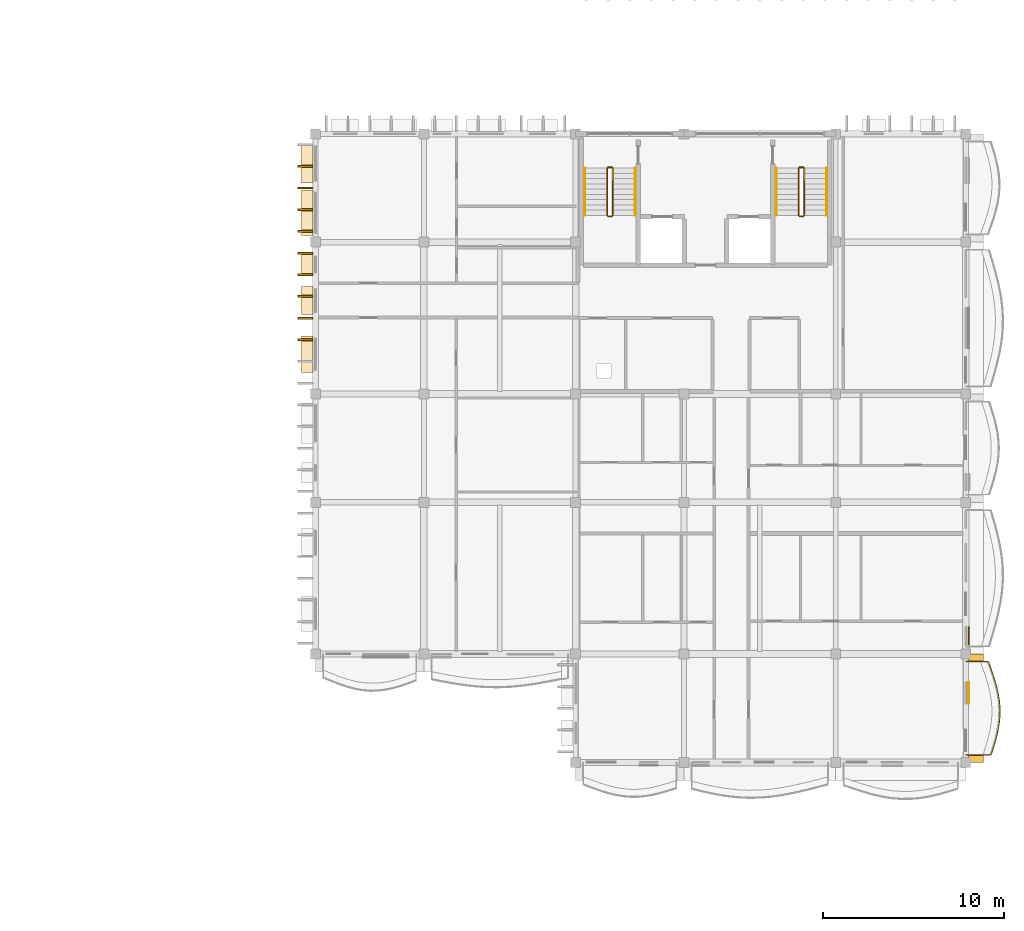
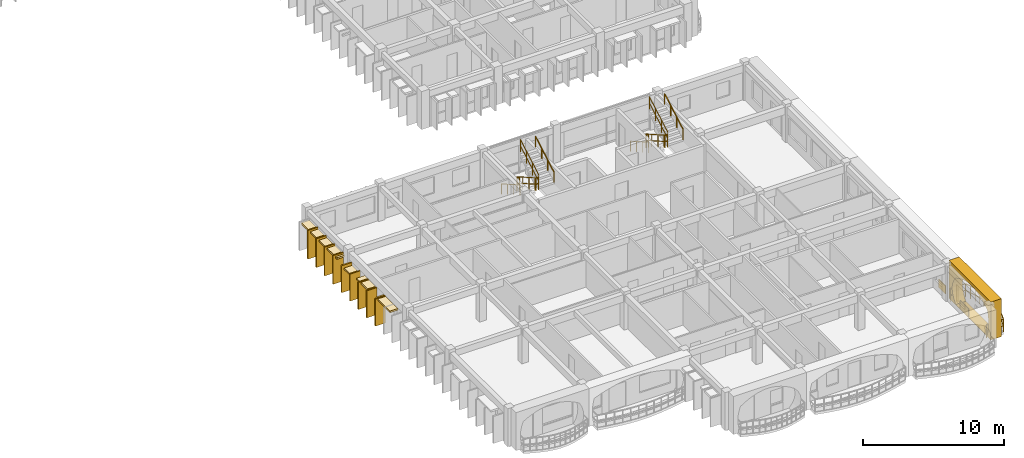
# One storey, part 62 of 70: 17 coverings, 13 railings.
"""IFC4 building model written with IfcOpenShell, lengths in metres."""

import ifcopenshell
import ifcopenshell.guid

model = None  # the IFC model being written
_history = None  # IfcOwnerHistory: only IFC2X3 demands one
_inside = {}  # id of a spatial element -> (the spatial element, [elements in it])
_under = {}  # id of a project, library or spatial element -> (it, [spatial elements below it])
_declared = {}  # id of a project -> (the project, [libraries it declares])
_typed = {}  # id of a type object -> (the type object, [elements of that type])
_made_of = {}  # id of a material, layer set ... -> (it, [elements and type objects made of it])


def new_model(schema):
    """Start an empty IFC model of exactly this schema.

    Asked for "IFC4X3", IfcOpenShell would pick the latest addendum, in which some entities
    have other attributes; the version numbers below select the first issue.
    IFC2X3 requires an IfcOwnerHistory on every rooted entity: one is made here for all.
    """
    global model, _history
    if schema == "IFC4X3":
        model = ifcopenshell.file(schema_version=(4, 3, 0, 0))
    else:
        model = ifcopenshell.file(schema=schema)
    _inside.clear()
    _under.clear()
    _declared.clear()
    _typed.clear()
    _made_of.clear()
    _history = None
    if model.schema == "IFC2X3":
        org = make("IfcOrganization", Name="unknown")
        user = make(
            "IfcPersonAndOrganization",
            ThePerson=make("IfcPerson", FamilyName="unknown"),
            TheOrganization=org,
        )
        app = make(
            "IfcApplication",
            ApplicationDeveloper=org,
            Version="unknown",
            ApplicationFullName="unknown",
            ApplicationIdentifier="unknown",
        )
        _history = make(
            "IfcOwnerHistory",
            OwningUser=user,
            OwningApplication=app,
            ChangeAction="ADDED",
            CreationDate=0,
        )
    return model


def make(cls, **values):
    """One entity of the class cls with the attributes given. An attribute that is None is left unset."""
    return model.create_entity(
        cls, **{name: value for name, value in values.items() if value is not None}
    )


def rooted(cls, **values):
    """An entity with a GlobalId (a new one), such as an element, a storey or a relation."""
    return make(cls, GlobalId=ifcopenshell.guid.new(), OwnerHistory=_history, **values)


def si_unit(unit_type, name, prefix=None):
    """IfcSIUnit, for example si_unit("LENGTHUNIT", "METRE", prefix="MILLI")."""
    return make("IfcSIUnit", UnitType=unit_type, Prefix=prefix, Name=name)


def assignment(units):
    """IfcUnitAssignment: the units of a project."""
    return None if units is None else make("IfcUnitAssignment", Units=units)


def point(xyz):
    """IfcCartesianPoint."""
    return None if xyz is None else make("IfcCartesianPoint", Coordinates=xyz)


def direction(xyz):
    """IfcDirection."""
    return None if xyz is None else make("IfcDirection", DirectionRatios=xyz)


def frame(location, z_axis=None, x_axis=None):
    """IfcAxis2Placement3D, a coordinate frame: its origin and axes. An axis left out is left unset."""
    return make(
        "IfcAxis2Placement3D",
        Location=point(location),
        Axis=direction(z_axis),
        RefDirection=direction(x_axis),
    )


def frame_2d(location, x_axis=None):
    """IfcAxis2Placement2D, a coordinate frame in the plane: its origin and x axis."""
    return make(
        "IfcAxis2Placement2D", Location=point(location), RefDirection=direction(x_axis)
    )


def origin():
    """The frame at (0, 0, 0) with its axes left unset."""
    return frame((0.0, 0.0, 0.0))


def origin_2d():
    """The frame at (0, 0) in the plane with its x axis left unset."""
    return frame_2d((0.0, 0.0))


def place(relative_to, where):
    """IfcLocalPlacement: puts the frame where relative to a parent placement (None: the world)."""
    return make(
        "IfcLocalPlacement", PlacementRelTo=relative_to, RelativePlacement=where
    )


def context(
    kind, dimensions, precision=None, world=None, true_north=None, identifier=None
):
    """IfcGeometricRepresentationContext, for example the 3D "Model" context."""
    return make(
        "IfcGeometricRepresentationContext",
        ContextIdentifier=identifier,
        ContextType=kind,
        CoordinateSpaceDimension=dimensions,
        Precision=precision,
        WorldCoordinateSystem=world,
        TrueNorth=true_north,
    )


def subcontext(parent, identifier, kind, view, scale=None):
    """IfcGeometricRepresentationSubContext, for example "Body" below "Model"."""
    return make(
        "IfcGeometricRepresentationSubContext",
        ContextIdentifier=identifier,
        ContextType=kind,
        ParentContext=parent,
        TargetScale=scale,
        TargetView=view,
    )


def project(units=None, contexts=None):
    """IfcProject with its units and contexts."""
    return rooted(
        "IfcProject",
        Name="project",
        RepresentationContexts=contexts,
        UnitsInContext=assignment(units),
    )


def spatial(cls, under=None, at=None, **own):
    """A site, building, storey or space (cls), placed at a placement, below another one or the project."""
    s = rooted(cls, ObjectPlacement=at, **own)
    if under is not None:
        _under.setdefault(under.id(), (under, []))[1].append(s)
    return s


def polyline(points):
    """IfcPolyline through the points."""
    return make("IfcPolyline", Points=[point(p) for p in points])


def profile(cls, at=None, kind="AREA", **sizes):
    """A parametric profile (cls). Its sizes go by their IFC names, for example OverallWidth=200.0."""
    return make(cls, ProfileType=kind, Position=at, **sizes)


def rectangle(**sizes):
    """IfcRectangleProfileDef."""
    return profile("IfcRectangleProfileDef", **sizes)


def outline(outer, holes=None, kind="AREA"):
    """IfcArbitraryClosedProfileDef: a profile drawn as a closed curve; with holes, ...WithVoids."""
    if holes is None:
        return make("IfcArbitraryClosedProfileDef", ProfileType=kind, OuterCurve=outer)
    return make(
        "IfcArbitraryProfileDefWithVoids",
        ProfileType=kind,
        OuterCurve=outer,
        InnerCurves=holes,
    )


def extrude(swept, where, along, depth):
    """IfcExtrudedAreaSolid: the profile swept, set in the frame where, extruded along a direction by depth."""
    return make(
        "IfcExtrudedAreaSolid",
        SweptArea=swept,
        Position=where,
        ExtrudedDirection=direction(along),
        Depth=depth,
    )


def shape(context_of_items, identifier, shape_type, items):
    """IfcShapeRepresentation: the items that make up one representation, for example the "Body"."""
    return make(
        "IfcShapeRepresentation",
        ContextOfItems=context_of_items,
        RepresentationIdentifier=identifier,
        RepresentationType=shape_type,
        Items=items,
    )


def material(Name=None, Category=None):
    """IfcMaterial."""
    return make("IfcMaterial", Name=Name, Category=Category)


def layer(
    of_material, thickness, ventilated=None, Name=None, Category=None, Priority=None
):
    """IfcMaterialLayer: one layer of a wall or slab, of a material (None: an air gap)."""
    return make(
        "IfcMaterialLayer",
        Material=of_material,
        LayerThickness=thickness,
        IsVentilated=ventilated,
        Name=Name,
        Category=Category,
        Priority=Priority,
    )


def layer_set(layers, Name=None):
    """IfcMaterialLayerSet."""
    return make("IfcMaterialLayerSet", MaterialLayers=layers, LayerSetName=Name)


def made_of(thing, what):
    """Note that an element or type object is made of a material, layer set ...; save() writes the relation."""
    if what is not None:
        _made_of.setdefault(what.id(), (what, []))[1].append(thing)
    return thing


def type_object(cls, material=None, **own):
    """A type object (cls), such as IfcWallType, which elements share."""
    return made_of(rooted(cls, **own), material)


def element(
    cls,
    number,
    at=None,
    inside=None,
    cuts=None,
    type_object=None,
    material=None,
    context=None,
    identifier="Body",
    shape_type=None,
    held_by="IfcProductDefinitionShape",
    body=None,
    shapes=None,
    **own,
):
    """One element of the class cls, such as IfcWall. Its Tag is "e" and its number.

    at: its placement. inside: the storey or other place that contains it. cuts: it is an
    opening in that element (IfcRelVoidsElement). A single representation is given by context,
    identifier, shape_type and body (its items); several are given by shapes. held_by: the class
    of the entity that holds the representations. save() writes the other relations.
    """
    e = rooted(cls, Tag="e%d" % number, ObjectPlacement=at, **own)
    if body is not None:
        shapes = [shape(context, identifier, shape_type, body)]
    if shapes is not None:
        e.Representation = make(held_by, Representations=shapes)
    if inside is not None:
        _inside.setdefault(inside.id(), (inside, []))[1].append(e)
    if cuts is not None:
        rooted(
            "IfcRelVoidsElement", RelatingBuildingElement=cuts, RelatedOpeningElement=e
        )
    if type_object is not None:
        _typed.setdefault(type_object.id(), (type_object, []))[1].append(e)
    return made_of(e, material)


def aggregate(whole, parts):
    """IfcRelAggregates: a whole, such as a stair, and the parts it consists of."""
    return rooted("IfcRelAggregates", RelatingObject=whole, RelatedObjects=parts)


def save(model, path):
    """Write the relations noted so far, then the file.

    IfcRelAggregates (storeys below a building ...), IfcRelContainedInSpatialStructure (elements
    in a storey), IfcRelDefinesByType, IfcRelAssociatesMaterial and IfcRelDeclares: one each for
    every whole, place, type object, material and project.
    """
    for whole, parts in _under.values():
        aggregate(whole, parts)
    for where, things in _inside.values():
        rooted(
            "IfcRelContainedInSpatialStructure",
            RelatedElements=things,
            RelatingStructure=where,
        )
    for kind, things in _typed.values():
        rooted("IfcRelDefinesByType", RelatedObjects=things, RelatingType=kind)
    for what, things in _made_of.values():
        rooted("IfcRelAssociatesMaterial", RelatedObjects=things, RelatingMaterial=what)
    for by, libraries in _declared.values():
        rooted("IfcRelDeclares", RelatingContext=by, RelatedDefinitions=libraries)
    model.write(path)


model = new_model("IFC4")

# Units and contexts
model_context = context("Model", 3, precision=1e-05, world=origin(), true_north=direction((0.0, 1.0)))
body_context = subcontext(model_context, "Body", "Model", "MODEL_VIEW")
ifc_project = project(units=[si_unit("LENGTHUNIT", "METRE"), si_unit("AREAUNIT", "SQUARE_METRE"), si_unit("VOLUMEUNIT", "CUBIC_METRE"), si_unit("PLANEANGLEUNIT", "RADIAN"), si_unit("MASSUNIT", "GRAM", prefix="KILO"), si_unit("THERMODYNAMICTEMPERATUREUNIT", "KELVIN")], contexts=[model_context])

# Site, building, storey
site_placement = place(None, origin())
site = spatial("IfcSite", under=ifc_project, at=site_placement, CompositionType="ELEMENT")
building_placement = place(site_placement, origin())
building = spatial("IfcBuilding", under=site, at=building_placement, Name="Thalorik Housing Commons", CompositionType="ELEMENT")
storey_placement = place(building_placement, frame((0.0, 0.0, 14.699951171875)))
storey = spatial("IfcBuildingStorey", under=building, at=storey_placement, Name="L04", CompositionType="ELEMENT", Elevation=14.699951171875)

# Coverings
ifc_material_1 = material(Name="Cobalt blue glazed ceramic facade tile panel", Category="masonry")
ifc_layer_1 = layer(ifc_material_1, 0.06005859375, Name="Cobalt blue glazed ceramic facade tile panel", Category="masonry")
ifc_layer_set_1 = layer_set([ifc_layer_1], Name="Cobalt blue glazed ceramic facade tile panel")
covering_type_1 = type_object("IfcCoveringType", Name="ARC-CLD-BLU-60", PredefinedType="CLADDING", material=ifc_layer_set_1)
covering_1_placement = place(storey_placement, frame((174.172607421875, 44.201416015625, 0.05029296875), z_axis=(0.0, 0.0, 1.0), x_axis=(0.0, 1.0, 0.0)))
element("IfcCovering", 1, at=covering_1_placement, inside=storey, type_object=covering_type_1, Name="L04 De Stijl Recessed Window Spandrel 4828", PredefinedType="CLADDING", context=body_context, shape_type="SweptSolid", body=[
    extrude(rectangle(XDim=1.0, YDim=0.06005859375, at=origin_2d()), origin(), (0.0, 0.0, 1.0), 0.699951171875),
])
ifc_material_2 = material(Name="Precast concrete C40/50", Category="concrete")
ifc_layer_2 = layer(ifc_material_2, 0.85009765625, Name="Precast concrete C40/50", Category="concrete")
ifc_layer_set_2 = layer_set([ifc_layer_2], Name="Precast concrete C40/50")
covering_type_2 = type_object("IfcCoveringType", Name="ARC-CLD-CUSH-850", PredefinedType="CLADDING", material=ifc_layer_set_2)
covering_2_placement = place(storey_placement, frame((174.5625, 40.199951171875, 0.0), z_axis=(0.0, 0.0, 1.0), x_axis=(0.0, 1.0, 0.0)))
element("IfcCovering", 2, at=covering_2_placement, inside=storey, type_object=covering_type_2, Name="L04 White Precast Curved Cushion Bay Frame 4825", PredefinedType="CLADDING", context=body_context, shape_type="SweptSolid", body=[
    extrude(outline(polyline([(-3.0, 0.0), (3.0, 0.0), (3.0, 3.300048828125), (-3.0, 3.300048828125), (-3.0, 0.0)]), holes=[polyline([(2.0400390625, 0.02490234375), (2.3232421875, 0.407470703125), (2.493408203125, 0.7900390625), (2.550048828125, 1.172607421875), (2.493408203125, 1.554931640625), (2.3232421875, 1.9375), (2.0400390625, 2.320068359375), (1.66748046875, 2.539306640625), (1.294921875, 2.711181640625), (0.922607421875, 2.8505859375), (0.550048828125, 2.954345703125), (0.177490234375, 3.018310546875), (-0.195068359375, 3.0400390625), (-0.5673828125, 3.018310546875), (-0.93994140625, 2.954345703125), (-1.3125, 2.8505859375), (-1.68505859375, 2.711181640625), (-2.0576171875, 2.539306640625), (-2.429931640625, 2.320068359375), (-2.55029296875, 1.9375), (-2.62255859375, 1.554931640625), (-2.646484375, 1.172607421875), (-2.62255859375, 0.7900390625), (-2.55029296875, 0.407470703125), (-2.429931640625, 0.02490234375), (2.0400390625, 0.02490234375)])]), frame((0.0, 0.425048828125, 0.0), z_axis=(0.0, -1.0, 0.0), x_axis=(1.0, 0.0, 0.0)), (0.0, 0.0, 1.0), 0.85009765625),
])
ifc_layer_3 = layer(ifc_material_2, 0.85009765625, Name="Precast concrete C40/50", Category="concrete")
ifc_layer_set_3 = layer_set([ifc_layer_3], Name="Precast concrete C40/50")
covering_type_3 = type_object("IfcCoveringType", Name="ARC-CLD-FIN-850", PredefinedType="CLADDING", material=ifc_layer_set_3)
for number, where, z_axis, x_axis, name in (
    (3, (137.4375, 70.199951171875, 0.0400390625), (0.0, 0.0, 1.0), (0.0, -1.0, 0.0), "L04 Courtyard Precast Vertical Brise-Soleil Fin 4776"),
    (4, (137.4375, 69.0, 0.0400390625), (0.0, 0.0, 1.0), (0.0, -1.0, 0.0), "L04 Courtyard Precast Vertical Brise-Soleil Fin 4777"),
    (5, (137.4375, 67.800048828125, 0.0400390625), (0.0, 0.0, 1.0), (0.0, -1.0, 0.0), "L04 Courtyard Precast Vertical Brise-Soleil Fin 4778"),
    (6, (137.4375, 66.60009765625, 0.0400390625), (0.0, 0.0, 1.0), (0.0, -1.0, 0.0), "L04 Courtyard Precast Vertical Brise-Soleil Fin 4779"),
):
    element("IfcCovering", number, at=place(storey_placement, frame(where, z_axis=z_axis, x_axis=x_axis)), inside=storey, type_object=covering_type_3, Name=name, PredefinedType="CLADDING", context=body_context, shape_type="SweptSolid", body=[
        extrude(rectangle(XDim=0.110107421875, YDim=0.85009765625, at=origin_2d()), origin(), (0.0, 0.0, 1.0), 2.4951171875),
    ])
for number, where, z_axis, x_axis, name in (
    (7, (137.4375, 65.39990234375, 0.0400390625), (0.0, 0.0, 1.0), (0.0, -1.0, 0.0), "L04 Courtyard Precast Vertical Brise-Soleil Fin 4782"),
    (8, (137.4375, 64.199951171875, 0.0400390625), (0.0, 0.0, 1.0), (0.0, -1.0, 0.0), "L04 Courtyard Precast Vertical Brise-Soleil Fin 4783"),
    (9, (137.4375, 63.0, 0.0400390625), (0.0, 0.0, 1.0), (0.0, -1.0, 0.0), "L04 Courtyard Precast Vertical Brise-Soleil Fin 4784"),
    (10, (137.4375, 61.800048828125, 0.0400390625), (0.0, 0.0, 1.0), (0.0, -1.0, 0.0), "L04 Courtyard Precast Vertical Brise-Soleil Fin 4785"),
    (11, (137.4375, 60.60009765625, 0.0400390625), (0.0, 0.0, 1.0), (0.0, -1.0, 0.0), "L04 Courtyard Precast Vertical Brise-Soleil Fin 4786"),
):
    element("IfcCovering", number, at=place(storey_placement, frame(where, z_axis=z_axis, x_axis=x_axis)), inside=storey, type_object=covering_type_3, Name=name, PredefinedType="CLADDING", context=body_context, shape_type="SweptSolid", body=[
        extrude(rectangle(XDim=0.110107421875, YDim=0.85009765625, at=origin_2d()), origin(), (0.0, 0.0, 1.0), 2.344970703125),
    ])
ifc_layer_4 = layer(ifc_material_2, 0.64990234375, Name="Precast concrete C40/50", Category="concrete")
ifc_layer_set_4 = layer_set([ifc_layer_4], Name="Precast concrete C40/50")
covering_type_4 = type_object("IfcCoveringType", Name="ARC-CLD-HOOD-650", PredefinedType="CLADDING", material=ifc_layer_set_4)
covering_3_placement = place(storey_placement, frame((137.53759765625, 70.3701171875, 2.22998046875), z_axis=(0.0, 0.0, 1.0), x_axis=(0.0, -1.0, 0.0)))
element("IfcCovering", 12, at=covering_3_placement, inside=storey, type_object=covering_type_4, Name="L04 Courtyard Precast Window Sun-Hood 4780", PredefinedType="CLADDING", context=body_context, shape_type="SweptSolid", body=[
    extrude(rectangle(XDim=2.159912109375, YDim=0.64990234375, at=origin_2d()), origin(), (0.0, 0.0, 1.0), 0.139892578125),
])
covering_4_placement = place(storey_placement, frame((137.53759765625, 67.6298828125, 2.25), z_axis=(0.0, 0.0, 1.0), x_axis=(0.0, -1.0, 0.0)))
element("IfcCovering", 13, at=covering_4_placement, inside=storey, type_object=covering_type_4, Name="L04 Courtyard Precast Window Sun-Hood 4781", PredefinedType="CLADDING", context=body_context, shape_type="SweptSolid", body=[
    extrude(rectangle(XDim=2.52001953125, YDim=0.64990234375, at=origin_2d()), origin(), (0.0, 0.0, 1.0), 0.139892578125),
])
covering_5_placement = place(storey_placement, frame((137.53759765625, 64.764892578125, 1.990234375), z_axis=(0.0, 0.0, 1.0), x_axis=(0.0, -1.0, 0.0)))
element("IfcCovering", 14, at=covering_5_placement, inside=storey, type_object=covering_type_4, Name="L04 Courtyard Precast Window Sun-Hood 4789", PredefinedType="CLADDING", context=body_context, shape_type="SweptSolid", body=[
    extrude(rectangle(XDim=1.139892578125, YDim=0.64990234375, at=origin_2d()), origin(), (0.0, 0.0, 1.0), 0.139892578125),
])
covering_6_placement = place(storey_placement, frame((137.53759765625, 62.77001953125, 2.18994140625), z_axis=(0.0, 0.0, 1.0), x_axis=(0.0, -1.0, 0.0)))
element("IfcCovering", 15, at=covering_6_placement, inside=storey, type_object=covering_type_4, Name="L04 Courtyard Precast Window Sun-Hood 4790", PredefinedType="CLADDING", context=body_context, shape_type="SweptSolid", body=[
    extrude(rectangle(XDim=1.5400390625, YDim=0.64990234375, at=origin_2d()), origin(), (0.0, 0.0, 1.0), 0.139892578125),
])
covering_7_placement = place(storey_placement, frame((137.53759765625, 59.804931640625, 2.2099609375), z_axis=(0.0, 0.0, 1.0), x_axis=(0.0, -1.0, 0.0)))
element("IfcCovering", 16, at=covering_7_placement, inside=storey, type_object=covering_type_4, Name="L04 Courtyard Precast Window Sun-Hood 4791", PredefinedType="CLADDING", context=body_context, shape_type="SweptSolid", body=[
    extrude(rectangle(XDim=2.02001953125, YDim=0.64990234375, at=origin_2d()), origin(), (0.0, 0.0, 1.0), 0.139892578125),
])
ifc_material_3 = material(Name="Terracotta red mineral fibre-cement panel", Category="masonry")
ifc_layer_5 = layer(ifc_material_3, 0.054931640625, Name="Terracotta red mineral fibre-cement panel", Category="masonry")
ifc_layer_set_5 = layer_set([ifc_layer_5], Name="Terracotta red mineral fibre-cement panel")
covering_type_5 = type_object("IfcCoveringType", Name="ARC-CLD-RED-55", PredefinedType="CLADDING", material=ifc_layer_set_5)
covering_8_placement = place(storey_placement, frame((174.169921875, 41.0400390625, 0.05029296875), z_axis=(0.0, 0.0, 1.0), x_axis=(0.0, 1.0, 0.0)))
element("IfcCovering", 17, at=covering_8_placement, inside=storey, type_object=covering_type_5, Name="L04 De Stijl Recessed Window Spandrel 4826", PredefinedType="CLADDING", context=body_context, shape_type="SweptSolid", body=[
    extrude(rectangle(XDim=1.199951171875, YDim=0.054931640625, at=origin_2d()), origin(), (0.0, 0.0, 1.0), 0.699951171875),
])

# Railings
ifc_material_4 = material(Name="Steel S355", Category="steel")
railing_type_1 = type_object("IfcRailingType", Name="ARC-RL-BAL-115", PredefinedType="BALUSTRADE", material=ifc_material_4)
railing_1_placement = place(storey_placement, frame((174.0, 37.6201171875, 0.0)))
element("IfcRailing", 18, at=railing_1_placement, inside=storey, type_object=railing_type_1, Name="L04 Cushion Balcony Guardrail 349", PredefinedType="BALUSTRADE", context=body_context, shape_type="SweptSolid", body=[
    extrude(rectangle(XDim=0.050048828125, YDim=0.050048828125, at=origin_2d()), frame((0.0, 0.0, 1.125), z_axis=(1.0, 0.0, 0.0), x_axis=(0.0, 1.0, 0.0)), (0.0, 0.0, 1.0), 1.40869140625),
    extrude(rectangle(XDim=0.050048828125, YDim=0.050048828125, at=origin_2d()), frame((0.0, 0.0, 0.5498046875), z_axis=(1.0, 0.0, 0.0), x_axis=(0.0, 1.0, 0.0)), (0.0, 0.0, 1.0), 1.40869140625),
    extrude(rectangle(XDim=0.050048828125, YDim=0.050048828125, at=origin_2d()), frame((1.40869140625, 0.0, 1.125), z_axis=(0.30304729671, 0.952975516976, 0.0), x_axis=(-0.952975516976, 0.30304729671, 0.0)), (0.0, 0.0, 1.0), 0.451171875),
    extrude(rectangle(XDim=0.050048828125, YDim=0.050048828125, at=origin_2d()), frame((1.40869140625, 0.0, 0.5498046875), z_axis=(0.30304729671, 0.952975516976, 0.0), x_axis=(-0.952975516976, 0.30304729671, 0.0)), (0.0, 0.0, 1.0), 0.451171875),
    extrude(rectangle(XDim=0.050048828125, YDim=0.050048828125, at=origin_2d()), frame((1.54541015625, 0.429931640625, 1.125), z_axis=(0.280188385866, 0.959945034065, 0.0), x_axis=(-0.959945034065, 0.280188385866, 0.0)), (0.0, 0.0, 1.0), 0.44775390625),
    extrude(rectangle(XDim=0.050048828125, YDim=0.050048828125, at=origin_2d()), frame((1.54541015625, 0.429931640625, 0.5498046875), z_axis=(0.280188385866, 0.959945034065, 0.0), x_axis=(-0.959945034065, 0.280188385866, 0.0)), (0.0, 0.0, 1.0), 0.44775390625),
    extrude(rectangle(XDim=0.050048828125, YDim=0.050048828125, at=origin_2d()), frame((1.6708984375, 0.85986328125, 1.125), z_axis=(0.236168531023, 0.97171211012, 0.0), x_axis=(-0.97171211012, 0.236168531023, 0.0)), (0.0, 0.0, 1.0), 0.4423828125),
    extrude(rectangle(XDim=0.050048828125, YDim=0.050048828125, at=origin_2d()), frame((1.6708984375, 0.85986328125, 0.5498046875), z_axis=(0.236168531023, 0.97171211012, 0.0), x_axis=(-0.97171211012, 0.236168531023, 0.0)), (0.0, 0.0, 1.0), 0.4423828125),
    extrude(rectangle(XDim=0.050048828125, YDim=0.050048828125, at=origin_2d()), frame((1.775390625, 1.289794921875, 1.125), z_axis=(0.174359150343, 0.984682124694, 0.0), x_axis=(-0.984682124694, 0.174359150343, 0.0)), (0.0, 0.0, 1.0), 0.436767578125),
    extrude(rectangle(XDim=0.050048828125, YDim=0.050048828125, at=origin_2d()), frame((1.775390625, 1.289794921875, 0.5498046875), z_axis=(0.174359150343, 0.984682124694, 0.0), x_axis=(-0.984682124694, 0.174359150343, 0.0)), (0.0, 0.0, 1.0), 0.436767578125),
    extrude(rectangle(XDim=0.050048828125, YDim=0.050048828125, at=origin_2d()), frame((1.8515625, 1.719970703125, 1.125), z_axis=(0.096649325814, 0.995318495668, 0.0), x_axis=(-0.995318495668, 0.096649325814, 0.0)), (0.0, 0.0, 1.0), 0.431884765625),
    extrude(rectangle(XDim=0.050048828125, YDim=0.050048828125, at=origin_2d()), frame((1.8515625, 1.719970703125, 0.5498046875), z_axis=(0.096649325814, 0.995318495668, 0.0), x_axis=(-0.995318495668, 0.096649325814, 0.0)), (0.0, 0.0, 1.0), 0.431884765625),
    extrude(rectangle(XDim=0.050048828125, YDim=0.050048828125, at=origin_2d()), frame((1.893310546875, 2.14990234375, 1.125), z_axis=(0.008517578576, 0.99996372477, 0.0), x_axis=(-0.99996372477, 0.008517578576, 0.0)), (0.0, 0.0, 1.0), 0.429931640625),
    extrude(rectangle(XDim=0.050048828125, YDim=0.050048828125, at=origin_2d()), frame((1.893310546875, 2.14990234375, 0.5498046875), z_axis=(0.008517578576, 0.99996372477, 0.0), x_axis=(-0.99996372477, 0.008517578576, 0.0)), (0.0, 0.0, 1.0), 0.429931640625),
    extrude(rectangle(XDim=0.050048828125, YDim=0.050048828125, at=origin_2d()), frame((1.89697265625, 2.579833984375, 1.125), z_axis=(-0.08149969607, 0.996673366525, 0.0), x_axis=(-0.996673366525, -0.08149969607, 0.0)), (0.0, 0.0, 1.0), 0.431396484375),
    extrude(rectangle(XDim=0.050048828125, YDim=0.050048828125, at=origin_2d()), frame((1.89697265625, 2.579833984375, 0.5498046875), z_axis=(-0.08149969607, 0.996673366525, 0.0), x_axis=(-0.996673366525, -0.08149969607, 0.0)), (0.0, 0.0, 1.0), 0.431396484375),
    extrude(rectangle(XDim=0.050048828125, YDim=0.050048828125, at=origin_2d()), frame((1.86181640625, 3.009765625, 1.125), z_axis=(-0.165125099862, 0.986272630359, 0.0), x_axis=(-0.986272630359, -0.165125099862, 0.0)), (0.0, 0.0, 1.0), 0.436279296875),
    extrude(rectangle(XDim=0.050048828125, YDim=0.050048828125, at=origin_2d()), frame((1.86181640625, 3.009765625, 0.5498046875), z_axis=(-0.165125099862, 0.986272630359, 0.0), x_axis=(-0.986272630359, -0.165125099862, 0.0)), (0.0, 0.0, 1.0), 0.436279296875),
    extrude(rectangle(XDim=0.050048828125, YDim=0.050048828125, at=origin_2d()), frame((1.789794921875, 3.43994140625, 1.125), z_axis=(-0.235126086267, 0.971964877738, 0.0), x_axis=(-0.971964877738, -0.235126086267, 0.0)), (0.0, 0.0, 1.0), 0.4423828125),
    extrude(rectangle(XDim=0.050048828125, YDim=0.050048828125, at=origin_2d()), frame((1.789794921875, 3.43994140625, 0.5498046875), z_axis=(-0.235126086267, 0.971964877738, 0.0), x_axis=(-0.971964877738, -0.235126086267, 0.0)), (0.0, 0.0, 1.0), 0.4423828125),
    extrude(rectangle(XDim=0.050048828125, YDim=0.050048828125, at=origin_2d()), frame((1.685791015625, 3.869873046875, 1.125), z_axis=(-0.28869433299, 0.957421319012, 0.0), x_axis=(-0.957421319012, -0.28869433299, 0.0)), (0.0, 0.0, 1.0), 0.448974609375),
    extrude(rectangle(XDim=0.050048828125, YDim=0.050048828125, at=origin_2d()), frame((1.685791015625, 3.869873046875, 0.5498046875), z_axis=(-0.28869433299, 0.957421319012, 0.0), x_axis=(-0.957421319012, -0.28869433299, 0.0)), (0.0, 0.0, 1.0), 0.448974609375),
    extrude(rectangle(XDim=0.050048828125, YDim=0.050048828125, at=origin_2d()), frame((1.55615234375, 4.2998046875, 1.125), z_axis=(-0.321864200459, 0.94678584509, 0.0), x_axis=(-0.94678584509, -0.321864200459, 0.0)), (0.0, 0.0, 1.0), 0.454345703125),
    extrude(rectangle(XDim=0.050048828125, YDim=0.050048828125, at=origin_2d()), frame((1.55615234375, 4.2998046875, 0.5498046875), z_axis=(-0.321864200459, 0.94678584509, 0.0), x_axis=(-0.94678584509, -0.321864200459, 0.0)), (0.0, 0.0, 1.0), 0.454345703125),
    extrude(rectangle(XDim=0.050048828125, YDim=0.050048828125, at=origin_2d()), frame((1.409912109375, 4.72998046875, 1.125), z_axis=(-0.335421235199, 0.942068253885, 0.0), x_axis=(-0.942068253885, -0.335421235199, 0.0)), (0.0, 0.0, 1.0), 0.456298828125),
    extrude(rectangle(XDim=0.050048828125, YDim=0.050048828125, at=origin_2d()), frame((1.409912109375, 4.72998046875, 0.5498046875), z_axis=(-0.335421235199, 0.942068253885, 0.0), x_axis=(-0.942068253885, -0.335421235199, 0.0)), (0.0, 0.0, 1.0), 0.456298828125),
    extrude(rectangle(XDim=0.050048828125, YDim=0.050048828125, at=origin_2d()), frame((1.2568359375, 5.159912109375, 1.125), z_axis=(-1.0, 0.0, 0.0), x_axis=(0.0, -1.0, 0.0)), (0.0, 0.0, 1.0), 1.2568359375),
    extrude(rectangle(XDim=0.050048828125, YDim=0.050048828125, at=origin_2d()), frame((1.2568359375, 5.159912109375, 0.5498046875), z_axis=(-1.0, 0.0, 0.0), x_axis=(0.0, -1.0, 0.0)), (0.0, 0.0, 1.0), 1.2568359375),
    extrude(rectangle(XDim=0.0419921875, YDim=0.0419921875, at=origin_2d()), origin(), (0.0, 0.0, 1.0), 1.099853515625),
    extrude(rectangle(XDim=0.0419921875, YDim=0.0419921875, at=origin_2d()), frame((1.40869140625, 0.0, 0.0)), (0.0, 0.0, 1.0), 1.099853515625),
    extrude(rectangle(XDim=0.0419921875, YDim=0.0419921875, at=origin_2d()), frame((1.54541015625, 0.429931640625, 0.0)), (0.0, 0.0, 1.0), 1.099853515625),
    extrude(rectangle(XDim=0.0419921875, YDim=0.0419921875, at=origin_2d()), frame((1.6708984375, 0.85986328125, 0.0)), (0.0, 0.0, 1.0), 1.099853515625),
    extrude(rectangle(XDim=0.0419921875, YDim=0.0419921875, at=origin_2d()), frame((1.775390625, 1.289794921875, 0.0)), (0.0, 0.0, 1.0), 1.099853515625),
    extrude(rectangle(XDim=0.0419921875, YDim=0.0419921875, at=origin_2d()), frame((1.8515625, 1.719970703125, 0.0)), (0.0, 0.0, 1.0), 1.099853515625),
    extrude(rectangle(XDim=0.0419921875, YDim=0.0419921875, at=origin_2d()), frame((1.893310546875, 2.14990234375, 0.0)), (0.0, 0.0, 1.0), 1.099853515625),
    extrude(rectangle(XDim=0.0419921875, YDim=0.0419921875, at=origin_2d()), frame((1.89697265625, 2.579833984375, 0.0)), (0.0, 0.0, 1.0), 1.099853515625),
    extrude(rectangle(XDim=0.0419921875, YDim=0.0419921875, at=origin_2d()), frame((1.86181640625, 3.009765625, 0.0)), (0.0, 0.0, 1.0), 1.099853515625),
    extrude(rectangle(XDim=0.0419921875, YDim=0.0419921875, at=origin_2d()), frame((1.789794921875, 3.43994140625, 0.0)), (0.0, 0.0, 1.0), 1.099853515625),
    extrude(rectangle(XDim=0.0419921875, YDim=0.0419921875, at=origin_2d()), frame((1.685791015625, 3.869873046875, 0.0)), (0.0, 0.0, 1.0), 1.099853515625),
    extrude(rectangle(XDim=0.0419921875, YDim=0.0419921875, at=origin_2d()), frame((1.55615234375, 4.2998046875, 0.0)), (0.0, 0.0, 1.0), 1.099853515625),
    extrude(rectangle(XDim=0.0419921875, YDim=0.0419921875, at=origin_2d()), frame((1.409912109375, 4.72998046875, 0.0)), (0.0, 0.0, 1.0), 1.099853515625),
    extrude(rectangle(XDim=0.0419921875, YDim=0.0419921875, at=origin_2d()), frame((1.2568359375, 5.159912109375, 0.0)), (0.0, 0.0, 1.0), 1.099853515625),
    extrude(rectangle(XDim=0.0419921875, YDim=0.0419921875, at=origin_2d()), frame((0.0, 5.159912109375, 0.0)), (0.0, 0.0, 1.0), 1.099853515625),
])
railing_type_2 = type_object("IfcRailingType", Name="ARC-RL-STR-GRD110", PredefinedType="GUARDRAIL", material=ifc_material_4)
railing_2_placement = place(storey_placement, frame((154.14990234375, 70.10009765625, 0.1650390625)))
element("IfcRailing", 19, at=railing_2_placement, inside=storey, type_object=railing_type_2, Name="L04 ST-D1 stair guard 1", PredefinedType="GUARDRAIL", context=body_context, shape_type="SweptSolid", body=[
    extrude(rectangle(XDim=0.048095703125, YDim=0.048095703125, at=origin_2d()), frame((0.0, 0.0, 1.076171875), z_axis=(0.0, -0.869157204687, 0.49453589712), x_axis=(1.0, 0.0, 0.0)), (0.0, 0.0, 1.0), 3.0029296875),
    extrude(rectangle(XDim=0.048095703125, YDim=0.048095703125, at=origin_2d()), frame((0.0, 0.0, 0.52587890625), z_axis=(0.0, -0.869157204687, 0.49453589712), x_axis=(1.0, 0.0, 0.0)), (0.0, 0.0, 1.0), 3.0029296875),
    extrude(rectangle(XDim=0.0419921875, YDim=0.0419921875, at=origin_2d()), origin(), (0.0, 0.0, 1.0), 1.052001953125),
    extrude(rectangle(XDim=0.0419921875, YDim=0.0419921875, at=origin_2d()), frame((0.0, -0.8701171875, 0.4951171875)), (0.0, 0.0, 1.0), 1.052001953125),
    extrude(rectangle(XDim=0.0419921875, YDim=0.0419921875, at=origin_2d()), frame((0.0, -1.739990234375, 0.989990234375)), (0.0, 0.0, 1.0), 1.052001953125),
    extrude(rectangle(XDim=0.0419921875, YDim=0.0419921875, at=origin_2d()), frame((0.0, -2.610107421875, 1.485107421875)), (0.0, 0.0, 1.0), 1.052001953125),
])
railing_3_placement = place(storey_placement, frame((154.199951171875, 67.43994140625, 1.650146484375)))
element("IfcRailing", 20, at=railing_3_placement, inside=storey, type_object=railing_type_2, Name="L04 ST-D1 stair guard 2", PredefinedType="GUARDRAIL", context=body_context, shape_type="SweptSolid", body=[
    extrude(rectangle(XDim=0.048095703125, YDim=0.048095703125, at=origin_2d()), frame((0.0, 0.0, 1.076171875), z_axis=(1.0, 0.0, 0.0), x_axis=(0.0, 1.0, 0.0)), (0.0, 0.0, 1.0), 0.199951171875),
    extrude(rectangle(XDim=0.048095703125, YDim=0.048095703125, at=origin_2d()), frame((0.0, 0.0, 0.52587890625), z_axis=(1.0, 0.0, 0.0), x_axis=(0.0, 1.0, 0.0)), (0.0, 0.0, 1.0), 0.199951171875),
    extrude(rectangle(XDim=0.0419921875, YDim=0.0419921875, at=origin_2d()), origin(), (0.0, 0.0, 1.0), 1.052001953125),
    extrude(rectangle(XDim=0.0419921875, YDim=0.0419921875, at=origin_2d()), frame((0.199951171875, 0.0, 0.0)), (0.0, 0.0, 1.0), 1.052001953125),
])
railing_4_placement = place(storey_placement, frame((154.449951171875, 67.489990234375, 1.81494140625)))
element("IfcRailing", 21, at=railing_4_placement, inside=storey, type_object=railing_type_2, Name="L04 ST-D1 stair guard 3", PredefinedType="GUARDRAIL", context=body_context, shape_type="SweptSolid", body=[
    extrude(rectangle(XDim=0.048095703125, YDim=0.048095703125, at=origin_2d()), frame((0.0, 0.0, 1.076171875), z_axis=(0.0, 0.869157204687, 0.49453589712), x_axis=(-1.0, 0.0, 0.0)), (0.0, 0.0, 1.0), 3.0029296875),
    extrude(rectangle(XDim=0.048095703125, YDim=0.048095703125, at=origin_2d()), frame((0.0, 0.0, 0.52587890625), z_axis=(0.0, 0.869157204687, 0.49453589712), x_axis=(-1.0, 0.0, 0.0)), (0.0, 0.0, 1.0), 3.0029296875),
    extrude(rectangle(XDim=0.0419921875, YDim=0.0419921875, at=origin_2d()), origin(), (0.0, 0.0, 1.0), 1.052001953125),
    extrude(rectangle(XDim=0.0419921875, YDim=0.0419921875, at=origin_2d()), frame((0.0, 0.8701171875, 0.4951171875)), (0.0, 0.0, 1.0), 1.052001953125),
    extrude(rectangle(XDim=0.0419921875, YDim=0.0419921875, at=origin_2d()), frame((0.0, 1.739990234375, 0.989990234375)), (0.0, 0.0, 1.0), 1.052001953125),
    extrude(rectangle(XDim=0.0419921875, YDim=0.0419921875, at=origin_2d()), frame((0.0, 2.610107421875, 1.485107421875)), (0.0, 0.0, 1.0), 1.052001953125),
])
railing_5_placement = place(storey_placement, frame((154.199951171875, 70.14990234375, 0.0)))
element("IfcRailing", 22, at=railing_5_placement, inside=storey, type_object=railing_type_2, Name="L04 ST-D1 stair guard 4", PredefinedType="GUARDRAIL", context=body_context, shape_type="SweptSolid", body=[
    extrude(rectangle(XDim=0.048095703125, YDim=0.048095703125, at=origin_2d()), frame((0.0, 0.0, 1.076171875), z_axis=(1.0, 0.0, 0.0), x_axis=(0.0, 1.0, 0.0)), (0.0, 0.0, 1.0), 0.199951171875),
    extrude(rectangle(XDim=0.048095703125, YDim=0.048095703125, at=origin_2d()), frame((0.0, 0.0, 0.52587890625), z_axis=(1.0, 0.0, 0.0), x_axis=(0.0, 1.0, 0.0)), (0.0, 0.0, 1.0), 0.199951171875),
    extrude(rectangle(XDim=0.0419921875, YDim=0.0419921875, at=origin_2d()), origin(), (0.0, 0.0, 1.0), 1.052001953125),
    extrude(rectangle(XDim=0.0419921875, YDim=0.0419921875, at=origin_2d()), frame((0.199951171875, 0.0, 0.0)), (0.0, 0.0, 1.0), 1.052001953125),
])
railing_6_placement = place(storey_placement, frame((164.75, 70.10009765625, 0.1650390625)))
element("IfcRailing", 23, at=railing_6_placement, inside=storey, type_object=railing_type_2, Name="L04 ST-D2 stair guard 1", PredefinedType="GUARDRAIL", context=body_context, shape_type="SweptSolid", body=[
    extrude(rectangle(XDim=0.048095703125, YDim=0.048095703125, at=origin_2d()), frame((0.0, 0.0, 1.076171875), z_axis=(0.0, -0.869157204687, 0.49453589712), x_axis=(1.0, 0.0, 0.0)), (0.0, 0.0, 1.0), 3.0029296875),
    extrude(rectangle(XDim=0.048095703125, YDim=0.048095703125, at=origin_2d()), frame((0.0, 0.0, 0.52587890625), z_axis=(0.0, -0.869157204687, 0.49453589712), x_axis=(1.0, 0.0, 0.0)), (0.0, 0.0, 1.0), 3.0029296875),
    extrude(rectangle(XDim=0.0419921875, YDim=0.0419921875, at=origin_2d()), origin(), (0.0, 0.0, 1.0), 1.052001953125),
    extrude(rectangle(XDim=0.0419921875, YDim=0.0419921875, at=origin_2d()), frame((0.0, -0.8701171875, 0.4951171875)), (0.0, 0.0, 1.0), 1.052001953125),
    extrude(rectangle(XDim=0.0419921875, YDim=0.0419921875, at=origin_2d()), frame((0.0, -1.739990234375, 0.989990234375)), (0.0, 0.0, 1.0), 1.052001953125),
    extrude(rectangle(XDim=0.0419921875, YDim=0.0419921875, at=origin_2d()), frame((0.0, -2.610107421875, 1.485107421875)), (0.0, 0.0, 1.0), 1.052001953125),
])
railing_7_placement = place(storey_placement, frame((164.800048828125, 67.43994140625, 1.650146484375)))
element("IfcRailing", 24, at=railing_7_placement, inside=storey, type_object=railing_type_2, Name="L04 ST-D2 stair guard 2", PredefinedType="GUARDRAIL", context=body_context, shape_type="SweptSolid", body=[
    extrude(rectangle(XDim=0.048095703125, YDim=0.048095703125, at=origin_2d()), frame((0.0, 0.0, 1.076171875), z_axis=(1.0, 0.0, 0.0), x_axis=(0.0, 1.0, 0.0)), (0.0, 0.0, 1.0), 0.199951171875),
    extrude(rectangle(XDim=0.048095703125, YDim=0.048095703125, at=origin_2d()), frame((0.0, 0.0, 0.52587890625), z_axis=(1.0, 0.0, 0.0), x_axis=(0.0, 1.0, 0.0)), (0.0, 0.0, 1.0), 0.199951171875),
    extrude(rectangle(XDim=0.0419921875, YDim=0.0419921875, at=origin_2d()), origin(), (0.0, 0.0, 1.0), 1.052001953125),
    extrude(rectangle(XDim=0.0419921875, YDim=0.0419921875, at=origin_2d()), frame((0.199951171875, 0.0, 0.0)), (0.0, 0.0, 1.0), 1.052001953125),
])
railing_8_placement = place(storey_placement, frame((165.050048828125, 67.489990234375, 1.81494140625)))
element("IfcRailing", 25, at=railing_8_placement, inside=storey, type_object=railing_type_2, Name="L04 ST-D2 stair guard 3", PredefinedType="GUARDRAIL", context=body_context, shape_type="SweptSolid", body=[
    extrude(rectangle(XDim=0.048095703125, YDim=0.048095703125, at=origin_2d()), frame((0.0, 0.0, 1.076171875), z_axis=(0.0, 0.869157204687, 0.49453589712), x_axis=(-1.0, 0.0, 0.0)), (0.0, 0.0, 1.0), 3.0029296875),
    extrude(rectangle(XDim=0.048095703125, YDim=0.048095703125, at=origin_2d()), frame((0.0, 0.0, 0.52587890625), z_axis=(0.0, 0.869157204687, 0.49453589712), x_axis=(-1.0, 0.0, 0.0)), (0.0, 0.0, 1.0), 3.0029296875),
    extrude(rectangle(XDim=0.0419921875, YDim=0.0419921875, at=origin_2d()), origin(), (0.0, 0.0, 1.0), 1.052001953125),
    extrude(rectangle(XDim=0.0419921875, YDim=0.0419921875, at=origin_2d()), frame((0.0, 0.8701171875, 0.4951171875)), (0.0, 0.0, 1.0), 1.052001953125),
    extrude(rectangle(XDim=0.0419921875, YDim=0.0419921875, at=origin_2d()), frame((0.0, 1.739990234375, 0.989990234375)), (0.0, 0.0, 1.0), 1.052001953125),
    extrude(rectangle(XDim=0.0419921875, YDim=0.0419921875, at=origin_2d()), frame((0.0, 2.610107421875, 1.485107421875)), (0.0, 0.0, 1.0), 1.052001953125),
])
railing_9_placement = place(storey_placement, frame((164.800048828125, 70.14990234375, 0.0)))
element("IfcRailing", 26, at=railing_9_placement, inside=storey, type_object=railing_type_2, Name="L04 ST-D2 stair guard 4", PredefinedType="GUARDRAIL", context=body_context, shape_type="SweptSolid", body=[
    extrude(rectangle(XDim=0.048095703125, YDim=0.048095703125, at=origin_2d()), frame((0.0, 0.0, 1.076171875), z_axis=(1.0, 0.0, 0.0), x_axis=(0.0, 1.0, 0.0)), (0.0, 0.0, 1.0), 0.199951171875),
    extrude(rectangle(XDim=0.048095703125, YDim=0.048095703125, at=origin_2d()), frame((0.0, 0.0, 0.52587890625), z_axis=(1.0, 0.0, 0.0), x_axis=(0.0, 1.0, 0.0)), (0.0, 0.0, 1.0), 0.199951171875),
    extrude(rectangle(XDim=0.0419921875, YDim=0.0419921875, at=origin_2d()), origin(), (0.0, 0.0, 1.0), 1.052001953125),
    extrude(rectangle(XDim=0.0419921875, YDim=0.0419921875, at=origin_2d()), frame((0.199951171875, 0.0, 0.0)), (0.0, 0.0, 1.0), 1.052001953125),
])
railing_type_3 = type_object("IfcRailingType", Name="ARC-RL-STR-HR092", PredefinedType="HANDRAIL", material=ifc_material_4)
railing_10_placement = place(storey_placement, frame((152.89990234375, 70.10009765625, 0.1650390625)))
element("IfcRailing", 27, at=railing_10_placement, inside=storey, type_object=railing_type_3, Name="L04 ST-D1 stair handrail 1", PredefinedType="HANDRAIL", context=body_context, shape_type="SweptSolid", body=[
    extrude(rectangle(XDim=0.048095703125, YDim=0.048095703125, at=origin_2d()), frame((0.0, 0.0, 0.89599609375), z_axis=(0.0, -0.869157204687, 0.49453589712), x_axis=(1.0, 0.0, 0.0)), (0.0, 0.0, 1.0), 3.0029296875),
    extrude(rectangle(XDim=0.0419921875, YDim=0.0419921875, at=origin_2d()), origin(), (0.0, 0.0, 1.0), 0.871826171875),
    extrude(rectangle(XDim=0.0419921875, YDim=0.0419921875, at=origin_2d()), frame((0.0, -0.8701171875, 0.4951171875)), (0.0, 0.0, 1.0), 0.871826171875),
    extrude(rectangle(XDim=0.0419921875, YDim=0.0419921875, at=origin_2d()), frame((0.0, -1.739990234375, 0.989990234375)), (0.0, 0.0, 1.0), 0.871826171875),
    extrude(rectangle(XDim=0.0419921875, YDim=0.0419921875, at=origin_2d()), frame((0.0, -2.610107421875, 1.485107421875)), (0.0, 0.0, 1.0), 0.871826171875),
])
railing_11_placement = place(storey_placement, frame((155.699951171875, 67.489990234375, 1.81494140625)))
element("IfcRailing", 28, at=railing_11_placement, inside=storey, type_object=railing_type_3, Name="L04 ST-D1 stair handrail 2", PredefinedType="HANDRAIL", context=body_context, shape_type="SweptSolid", body=[
    extrude(rectangle(XDim=0.048095703125, YDim=0.048095703125, at=origin_2d()), frame((0.0, 0.0, 0.89599609375), z_axis=(0.0, 0.869157204687, 0.49453589712), x_axis=(-1.0, 0.0, 0.0)), (0.0, 0.0, 1.0), 3.0029296875),
    extrude(rectangle(XDim=0.0419921875, YDim=0.0419921875, at=origin_2d()), origin(), (0.0, 0.0, 1.0), 0.871826171875),
    extrude(rectangle(XDim=0.0419921875, YDim=0.0419921875, at=origin_2d()), frame((0.0, 0.8701171875, 0.4951171875)), (0.0, 0.0, 1.0), 0.871826171875),
    extrude(rectangle(XDim=0.0419921875, YDim=0.0419921875, at=origin_2d()), frame((0.0, 1.739990234375, 0.989990234375)), (0.0, 0.0, 1.0), 0.871826171875),
    extrude(rectangle(XDim=0.0419921875, YDim=0.0419921875, at=origin_2d()), frame((0.0, 2.610107421875, 1.485107421875)), (0.0, 0.0, 1.0), 0.871826171875),
])
railing_12_placement = place(storey_placement, frame((163.5, 70.10009765625, 0.1650390625)))
element("IfcRailing", 29, at=railing_12_placement, inside=storey, type_object=railing_type_3, Name="L04 ST-D2 stair handrail 1", PredefinedType="HANDRAIL", context=body_context, shape_type="SweptSolid", body=[
    extrude(rectangle(XDim=0.048095703125, YDim=0.048095703125, at=origin_2d()), frame((0.0, 0.0, 0.89599609375), z_axis=(0.0, -0.869157204687, 0.49453589712), x_axis=(1.0, 0.0, 0.0)), (0.0, 0.0, 1.0), 3.0029296875),
    extrude(rectangle(XDim=0.0419921875, YDim=0.0419921875, at=origin_2d()), origin(), (0.0, 0.0, 1.0), 0.871826171875),
    extrude(rectangle(XDim=0.0419921875, YDim=0.0419921875, at=origin_2d()), frame((0.0, -0.8701171875, 0.4951171875)), (0.0, 0.0, 1.0), 0.871826171875),
    extrude(rectangle(XDim=0.0419921875, YDim=0.0419921875, at=origin_2d()), frame((0.0, -1.739990234375, 0.989990234375)), (0.0, 0.0, 1.0), 0.871826171875),
    extrude(rectangle(XDim=0.0419921875, YDim=0.0419921875, at=origin_2d()), frame((0.0, -2.610107421875, 1.485107421875)), (0.0, 0.0, 1.0), 0.871826171875),
])
railing_13_placement = place(storey_placement, frame((166.300048828125, 67.489990234375, 1.81494140625)))
element("IfcRailing", 30, at=railing_13_placement, inside=storey, type_object=railing_type_3, Name="L04 ST-D2 stair handrail 2", PredefinedType="HANDRAIL", context=body_context, shape_type="SweptSolid", body=[
    extrude(rectangle(XDim=0.048095703125, YDim=0.048095703125, at=origin_2d()), frame((0.0, 0.0, 0.89599609375), z_axis=(0.0, 0.869157204687, 0.49453589712), x_axis=(-1.0, 0.0, 0.0)), (0.0, 0.0, 1.0), 3.0029296875),
    extrude(rectangle(XDim=0.0419921875, YDim=0.0419921875, at=origin_2d()), origin(), (0.0, 0.0, 1.0), 0.871826171875),
    extrude(rectangle(XDim=0.0419921875, YDim=0.0419921875, at=origin_2d()), frame((0.0, 0.8701171875, 0.4951171875)), (0.0, 0.0, 1.0), 0.871826171875),
    extrude(rectangle(XDim=0.0419921875, YDim=0.0419921875, at=origin_2d()), frame((0.0, 1.739990234375, 0.989990234375)), (0.0, 0.0, 1.0), 0.871826171875),
    extrude(rectangle(XDim=0.0419921875, YDim=0.0419921875, at=origin_2d()), frame((0.0, 2.610107421875, 1.485107421875)), (0.0, 0.0, 1.0), 0.871826171875),
])

save(model, "model.ifc")
